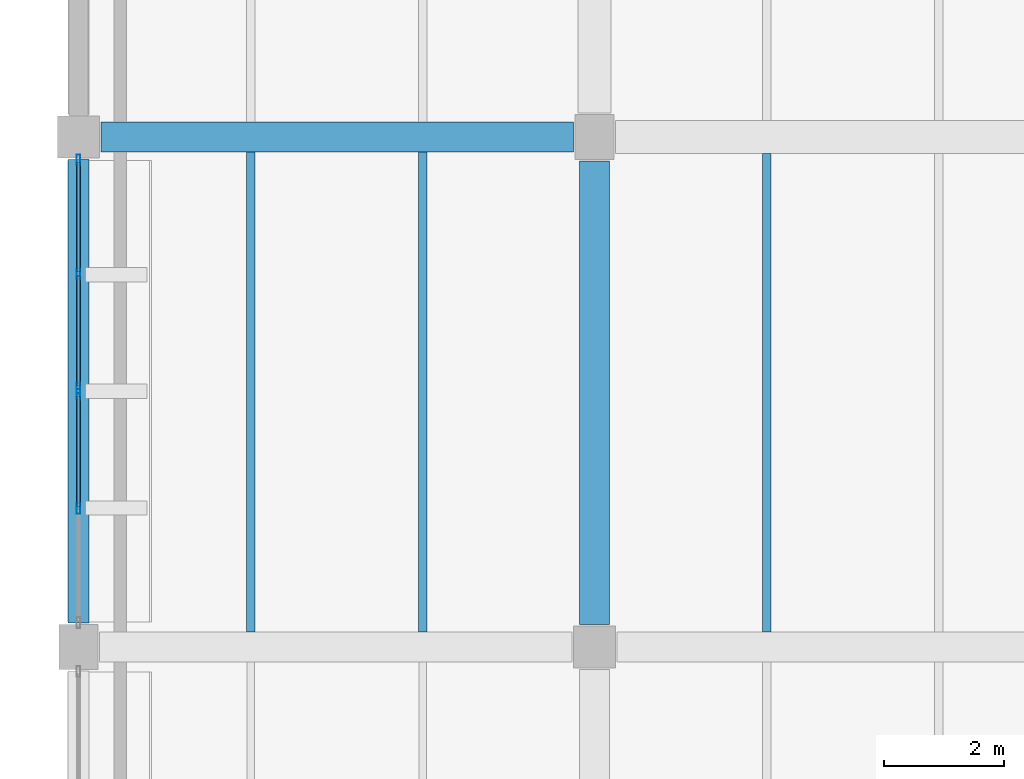
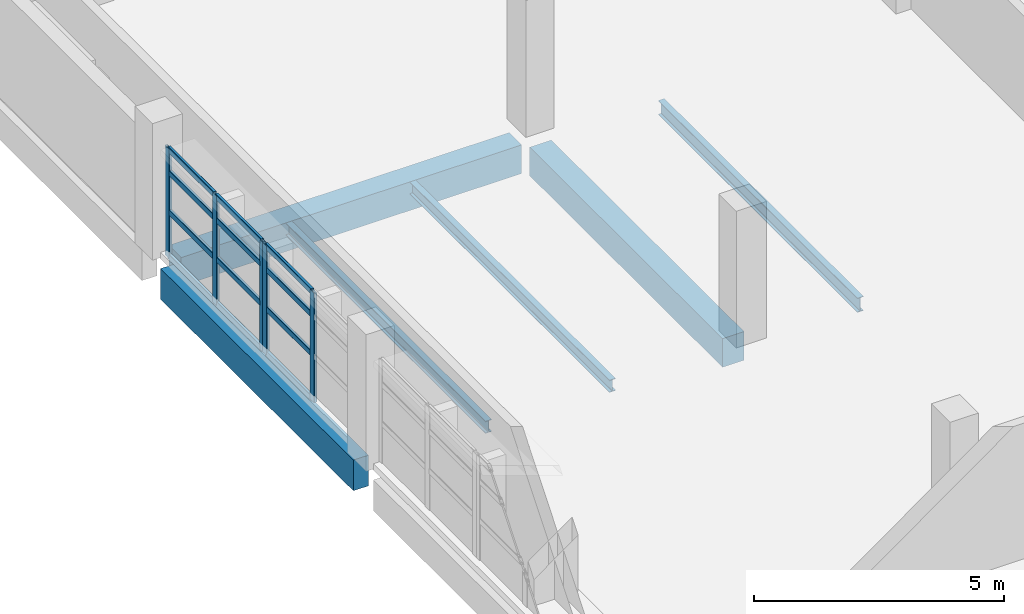
# One storey, part 40 of 75: 17 members, 6 beams, 2 elements without a shape of their own.
"""IFC4 building model written with IfcOpenShell, lengths in metres."""

from ifc_helpers import new_model, si_unit, direction, frame, origin, origin_2d, place, context, subcontext, project, spatial, rectangle, hollow_rectangle, i_section, extrude, material, material_profile, profile_set, type_object, element, aggregate, save


model = new_model("IFC4")

# Units and contexts
model_context = context("Model", 3, precision=1e-05, world=origin(), true_north=direction((0.0, 1.0)))
body_context = subcontext(model_context, "Body", "Model", "MODEL_VIEW")
ifc_project = project(units=[si_unit("LENGTHUNIT", "METRE"), si_unit("AREAUNIT", "SQUARE_METRE"), si_unit("VOLUMEUNIT", "CUBIC_METRE"), si_unit("PLANEANGLEUNIT", "RADIAN"), si_unit("MASSUNIT", "GRAM", prefix="KILO")], contexts=[model_context])

# Site, building, storey
site_placement = place(None, origin())
site = spatial("IfcSite", under=ifc_project, at=site_placement, CompositionType="ELEMENT")
building_placement = place(site_placement, origin())
building = spatial("IfcBuilding", under=site, at=building_placement, Name="Varnakota Cinema and Media Centre", CompositionType="ELEMENT")
storey_placement = place(building_placement, frame((0.0, 0.0, 8.39990234375)))
storey = spatial("IfcBuildingStorey", under=building, at=storey_placement, Name="L02", CompositionType="ELEMENT", Elevation=8.39990234375)

# Beams
ifc_material_1 = material(Name="Concrete M35", Category="concrete")
ifc_material_profile_1 = material_profile(ifc_material_1, rectangle(XDim=0.5, YDim=0.699951171875, at=origin_2d()), Name="RCB 500x700")
ifc_profile_set_1 = profile_set([ifc_material_profile_1], Name="Concrete M35")
beam_type_1 = type_object("IfcBeamType", Name="BM-RC-500x700", PredefinedType="BEAM", material=ifc_profile_set_1)
beam_1_placement = place(storey_placement, frame((0.375, 69.5, -0.599853515625), z_axis=(1.0, 0.0, 0.0), x_axis=(0.0, 1.0, 0.0)))
element("IfcBeam", 1, at=beam_1_placement, inside=storey, type_object=beam_type_1, Name="L02 girder A-B/9", PredefinedType="BEAM", context=body_context, shape_type="SweptSolid", body=[
    extrude(rectangle(XDim=0.5, YDim=0.699951171875, at=origin_2d()), origin(), (0.0, 0.0, 1.0), 7.875),
])
beam_2_placement = place(storey_placement, frame((8.60009765625, 61.375, -0.599853515625), z_axis=(0.0, 1.0, 0.0), x_axis=(-1.0, 0.0, 0.0)))
element("IfcBeam", 2, at=beam_2_placement, inside=storey, type_object=beam_type_1, Name="L02 girder B/8-9", PredefinedType="BEAM", context=body_context, shape_type="SweptSolid", body=[
    extrude(rectangle(XDim=0.5, YDim=0.699951171875, at=origin_2d()), origin(), (0.0, 0.0, 1.0), 7.72509765625),
])
ifc_material_2 = material(Name="Concrete M40", Category="concrete")
ifc_material_profile_2 = material_profile(ifc_material_2, rectangle(XDim=0.35009765625, YDim=0.75, at=origin_2d()), Name="RCB 350x750")
ifc_profile_set_2 = profile_set([ifc_material_profile_2], Name="Concrete M40")
beam_type_2 = type_object("IfcBeamType", Name="BM-SP-350x750", PredefinedType="SPANDREL", material=ifc_profile_set_2)
beam_3_placement = place(storey_placement, frame((0.0, 61.39990234375, -0.625), z_axis=(0.0, 1.0, 0.0), x_axis=(-1.0, 0.0, 0.0)))
element("IfcBeam", 3, at=beam_3_placement, inside=storey, type_object=beam_type_2, Name="L02 girder A/8-9", PredefinedType="SPANDREL", context=body_context, shape_type="SweptSolid", body=[
    extrude(rectangle(XDim=0.35009765625, YDim=0.75, at=origin_2d()), origin(), (0.0, 0.0, 1.0), 7.72509765625),
])
ifc_material_3 = material(Name="Structural steel Grade 350 (E350)", Category="steel")
ifc_material_profile_3 = material_profile(ifc_material_3, i_section(OverallWidth=0.139892578125, OverallDepth=0.300048828125, WebThickness=0.0078125, FlangeThickness=0.01318359375, FilletRadius=0.013916015625, at=origin_2d()), Name="ISMB 300")
ifc_profile_set_3 = profile_set([ifc_material_profile_3], Name="Structural steel Grade 350 (E350)")
beam_type_3 = type_object("IfcBeamType", Name="BM-ST-ISMB300", PredefinedType="JOIST", material=ifc_profile_set_3)
for number, where, z_axis, x_axis, name in (
    (4, (2.86669921875, 61.25, -0.39990234375), (0.0, 1.0, 0.0), (-1.0, 0.0, 0.0), "L02 steel joist A-B/8-9 #1"),
    (5, (5.7333984375, 61.25, -0.39990234375), (0.0, 1.0, 0.0), (-1.0, 0.0, 0.0), "L02 steel joist A-B/8-9 #2"),
):
    element("IfcBeam", number, at=place(storey_placement, frame(where, z_axis=z_axis, x_axis=x_axis)), inside=storey, type_object=beam_type_3, Name=name, PredefinedType="JOIST", context=body_context, shape_type="SweptSolid", body=[
        extrude(i_section(OverallWidth=0.139892578125, OverallDepth=0.300048828125, WebThickness=0.0078125, FlangeThickness=0.01318359375, FilletRadius=0.013916015625, at=origin_2d()), origin(), (0.0, 0.0, 1.0), 8.0),
    ])
ifc_material_4 = material(Name="Structural steel Grade 350 (E350)", Category="steel")
ifc_material_profile_4 = material_profile(ifc_material_4, i_section(OverallWidth=0.139892578125, OverallDepth=0.35009765625, WebThickness=0.008056640625, FlangeThickness=0.01416015625, FilletRadius=0.013916015625, at=origin_2d()), Name="ISMB 350")
ifc_profile_set_4 = profile_set([ifc_material_profile_4], Name="Structural steel Grade 350 (E350)")
beam_type_4 = type_object("IfcBeamType", Name="BM-ST-ISMB350", PredefinedType="JOIST", material=ifc_profile_set_4)
beam_4_placement = place(storey_placement, frame((11.466796875, 61.25, -0.4248046875), z_axis=(0.0, 1.0, 0.0), x_axis=(-1.0, 0.0, 0.0)))
element("IfcBeam", 6, at=beam_4_placement, inside=storey, type_object=beam_type_4, Name="L02 steel joist B-C/8-9 #1", PredefinedType="JOIST", context=body_context, shape_type="SweptSolid", body=[
    extrude(i_section(OverallWidth=0.139892578125, OverallDepth=0.35009765625, WebThickness=0.008056640625, FlangeThickness=0.01416015625, FilletRadius=0.013916015625, at=origin_2d()), origin(), (0.0, 0.0, 1.0), 7.97509765625),
])

# Curtain wall, members
ifc_material_5 = material(Name="Thermally broken anodised aluminium AW-6063", Category="aluminium")
curtain_wall_type = type_object("IfcCurtainWallType", Name="CW-STD-387x268", PredefinedType="USERDEFINED", material=ifc_material_5)
curtain_wall_1_placement = place(storey_placement, origin())
curtain_wall_1 = element("IfcCurtainWall", 7, at=curtain_wall_1_placement, inside=storey, type_object=curtain_wall_type, Name="L02 curtain wall CW-L02-V5-W-02-1", ObjectType="UNITISED CURTAIN WALL", PredefinedType="USERDEFINED")
ifc_material_6 = material(Name="Thermally broken anodised aluminium AW-6063", Category="aluminium")
ifc_material_profile_5 = material_profile(ifc_material_6, hollow_rectangle(XDim=0.06494140625, YDim=0.179931640625, WallThickness=0.00390625, InnerFilletRadius=0.00390625, OuterFilletRadius=0.008056640625, at=origin_2d()), Name="AL-MULLION 180x65x4")
ifc_profile_set_5 = profile_set([ifc_material_profile_5], Name="Thermally broken anodised aluminium AW-6063")
member_type_1 = type_object("IfcMemberType", Name="CWM-AL-180", PredefinedType="MULLION", material=ifc_profile_set_5)
member_1_placement = place(storey_placement, frame((0.0, 69.117431640625, 0.0), z_axis=(0.0, 0.0, 1.0), x_axis=(1.0, 0.0, 0.0)))
member_1 = element("IfcMember", 8, at=member_1_placement, type_object=member_type_1, Name="CW39 mullion 1", PredefinedType="MULLION", context=body_context, shape_type="SweptSolid", body=[
    extrude(hollow_rectangle(XDim=0.06494140625, YDim=0.179931640625, WallThickness=0.00390625, InnerFilletRadius=0.00390625, OuterFilletRadius=0.008056640625, at=origin_2d()), origin(), (0.0, 0.0, 1.0), 2.675048828125),
])
member_2_placement = place(storey_placement, frame((0.0, 67.21630859375, 0.0), z_axis=(0.0, 0.0, 1.0), x_axis=(1.0, 0.0, 0.0)))
member_2 = element("IfcMember", 9, at=member_2_placement, type_object=member_type_1, Name="CW39 mullion 2", PredefinedType="MULLION", context=body_context, shape_type="SweptSolid", body=[
    extrude(hollow_rectangle(XDim=0.06494140625, YDim=0.179931640625, WallThickness=0.00390625, InnerFilletRadius=0.00390625, OuterFilletRadius=0.008056640625, at=origin_2d()), origin(), (0.0, 0.0, 1.0), 2.675048828125),
])
member_3_placement = place(storey_placement, frame((0.0, 65.31494140625, 0.0), z_axis=(0.0, 0.0, 1.0), x_axis=(1.0, 0.0, 0.0)))
member_3 = element("IfcMember", 10, at=member_3_placement, type_object=member_type_1, Name="CW39 mullion 3", PredefinedType="MULLION", context=body_context, shape_type="SweptSolid", body=[
    extrude(hollow_rectangle(XDim=0.06494140625, YDim=0.179931640625, WallThickness=0.00390625, InnerFilletRadius=0.00390625, OuterFilletRadius=0.008056640625, at=origin_2d()), origin(), (0.0, 0.0, 1.0), 2.675048828125),
])

curtain_wall_2_placement = place(storey_placement, origin())
curtain_wall_2 = element("IfcCurtainWall", 11, at=curtain_wall_2_placement, inside=storey, type_object=curtain_wall_type, Name="L02 curtain wall CW-L02-V5-W-02-2", ObjectType="UNITISED CURTAIN WALL", PredefinedType="USERDEFINED")
member_4_placement = place(storey_placement, frame((0.0, 65.2099609375, 0.0), z_axis=(0.0, 0.0, 1.0), x_axis=(1.0, 0.0, 0.0)))
member_4 = element("IfcMember", 12, at=member_4_placement, type_object=member_type_1, Name="CW39 mullion 1", PredefinedType="MULLION", context=body_context, shape_type="SweptSolid", body=[
    extrude(hollow_rectangle(XDim=0.06494140625, YDim=0.179931640625, WallThickness=0.00390625, InnerFilletRadius=0.00390625, OuterFilletRadius=0.008056640625, at=origin_2d()), origin(), (0.0, 0.0, 1.0), 2.675048828125),
])
member_5_placement = place(storey_placement, frame((0.0, 63.308837890625, 0.0), z_axis=(0.0, 0.0, 1.0), x_axis=(1.0, 0.0, 0.0)))
member_5 = element("IfcMember", 13, at=member_5_placement, type_object=member_type_1, Name="CW39 mullion 2", PredefinedType="MULLION", context=body_context, shape_type="SweptSolid", body=[
    extrude(hollow_rectangle(XDim=0.06494140625, YDim=0.179931640625, WallThickness=0.00390625, InnerFilletRadius=0.00390625, OuterFilletRadius=0.008056640625, at=origin_2d()), origin(), (0.0, 0.0, 1.0), 2.675048828125),
])

# Member
ifc_material_7 = material(Name="Thermally broken anodised aluminium AW-6063", Category="aluminium")
ifc_material_profile_6 = material_profile(ifc_material_7, hollow_rectangle(XDim=0.06494140625, YDim=0.139892578125, WallThickness=0.00390625, InnerFilletRadius=0.00390625, OuterFilletRadius=0.008056640625, at=origin_2d()), Name="AL-TRANSOM 140x65x4")
ifc_profile_set_6 = profile_set([ifc_material_profile_6], Name="Thermally broken anodised aluminium AW-6063")
member_type_2 = type_object("IfcMemberType", Name="CWT-AL-140", PredefinedType="USERDEFINED", material=ifc_profile_set_6)
member_6_placement = place(storey_placement, frame((0.0, 69.0849609375, 0.03271484375), z_axis=(0.0, -1.0, 0.0), x_axis=(1.0, 0.0, 0.0)))
member_6 = element("IfcMember", 14, at=member_6_placement, type_object=member_type_2, Name="CW39 transom 1.1", ObjectType="TRANSOM", PredefinedType="USERDEFINED", context=body_context, shape_type="SweptSolid", body=[
    extrude(hollow_rectangle(XDim=0.06494140625, YDim=0.139892578125, WallThickness=0.00390625, InnerFilletRadius=0.00390625, OuterFilletRadius=0.008056640625, at=origin_2d()), origin(), (0.0, 0.0, 1.0), 1.836181640625),
])

member_7_placement = place(storey_placement, frame((0.0, 69.0849609375, 1.12353515625), z_axis=(0.0, -1.0, 0.0), x_axis=(1.0, 0.0, 0.0)))
member_7 = element("IfcMember", 15, at=member_7_placement, type_object=member_type_2, Name="CW39 transom 1.2", ObjectType="TRANSOM", PredefinedType="USERDEFINED", context=body_context, shape_type="SweptSolid", body=[
    extrude(hollow_rectangle(XDim=0.06494140625, YDim=0.139892578125, WallThickness=0.00390625, InnerFilletRadius=0.00390625, OuterFilletRadius=0.008056640625, at=origin_2d()), origin(), (0.0, 0.0, 1.0), 1.836181640625),
])

member_8_placement = place(storey_placement, frame((0.0, 69.0849609375, 2.086669921875), z_axis=(0.0, -1.0, 0.0), x_axis=(1.0, 0.0, 0.0)))
member_8 = element("IfcMember", 16, at=member_8_placement, type_object=member_type_2, Name="CW39 transom 1.3", ObjectType="TRANSOM", PredefinedType="USERDEFINED", context=body_context, shape_type="SweptSolid", body=[
    extrude(hollow_rectangle(XDim=0.06494140625, YDim=0.139892578125, WallThickness=0.00390625, InnerFilletRadius=0.00390625, OuterFilletRadius=0.008056640625, at=origin_2d()), origin(), (0.0, 0.0, 1.0), 1.836181640625),
])

member_9_placement = place(storey_placement, frame((0.0, 69.0849609375, 2.642578125), z_axis=(0.0, -1.0, 0.0), x_axis=(1.0, 0.0, 0.0)))
member_9 = element("IfcMember", 17, at=member_9_placement, type_object=member_type_2, Name="CW39 transom 1.4", ObjectType="TRANSOM", PredefinedType="USERDEFINED", context=body_context, shape_type="SweptSolid", body=[
    extrude(hollow_rectangle(XDim=0.06494140625, YDim=0.139892578125, WallThickness=0.00390625, InnerFilletRadius=0.00390625, OuterFilletRadius=0.008056640625, at=origin_2d()), origin(), (0.0, 0.0, 1.0), 1.836181640625),
])

member_10_placement = place(storey_placement, frame((0.0, 67.183837890625, 0.03271484375), z_axis=(0.0, -1.0, 0.0), x_axis=(1.0, 0.0, 0.0)))
member_10 = element("IfcMember", 18, at=member_10_placement, type_object=member_type_2, Name="CW39 transom 2.1", ObjectType="TRANSOM", PredefinedType="USERDEFINED", context=body_context, shape_type="SweptSolid", body=[
    extrude(hollow_rectangle(XDim=0.06494140625, YDim=0.139892578125, WallThickness=0.00390625, InnerFilletRadius=0.00390625, OuterFilletRadius=0.008056640625, at=origin_2d()), origin(), (0.0, 0.0, 1.0), 1.83642578125),
])

member_11_placement = place(storey_placement, frame((0.0, 67.183837890625, 1.12353515625), z_axis=(0.0, -1.0, 0.0), x_axis=(1.0, 0.0, 0.0)))
member_11 = element("IfcMember", 19, at=member_11_placement, type_object=member_type_2, Name="CW39 transom 2.2", ObjectType="TRANSOM", PredefinedType="USERDEFINED", context=body_context, shape_type="SweptSolid", body=[
    extrude(hollow_rectangle(XDim=0.06494140625, YDim=0.139892578125, WallThickness=0.00390625, InnerFilletRadius=0.00390625, OuterFilletRadius=0.008056640625, at=origin_2d()), origin(), (0.0, 0.0, 1.0), 1.83642578125),
])

member_12_placement = place(storey_placement, frame((0.0, 67.183837890625, 2.086669921875), z_axis=(0.0, -1.0, 0.0), x_axis=(1.0, 0.0, 0.0)))
member_12 = element("IfcMember", 20, at=member_12_placement, type_object=member_type_2, Name="CW39 transom 2.3", ObjectType="TRANSOM", PredefinedType="USERDEFINED", context=body_context, shape_type="SweptSolid", body=[
    extrude(hollow_rectangle(XDim=0.06494140625, YDim=0.139892578125, WallThickness=0.00390625, InnerFilletRadius=0.00390625, OuterFilletRadius=0.008056640625, at=origin_2d()), origin(), (0.0, 0.0, 1.0), 1.83642578125),
])

member_13_placement = place(storey_placement, frame((0.0, 67.183837890625, 2.642578125), z_axis=(0.0, -1.0, 0.0), x_axis=(1.0, 0.0, 0.0)))
member_13 = element("IfcMember", 21, at=member_13_placement, type_object=member_type_2, Name="CW39 transom 2.4", ObjectType="TRANSOM", PredefinedType="USERDEFINED", context=body_context, shape_type="SweptSolid", body=[
    extrude(hollow_rectangle(XDim=0.06494140625, YDim=0.139892578125, WallThickness=0.00390625, InnerFilletRadius=0.00390625, OuterFilletRadius=0.008056640625, at=origin_2d()), origin(), (0.0, 0.0, 1.0), 1.83642578125),
])

aggregate(curtain_wall_1, [member_1, member_2, member_3, member_6, member_7, member_8, member_9, member_10, member_11, member_12, member_13])

member_14_placement = place(storey_placement, frame((0.0, 65.177490234375, 0.03271484375), z_axis=(0.0, -1.0, 0.0), x_axis=(1.0, 0.0, 0.0)))
member_14 = element("IfcMember", 22, at=member_14_placement, type_object=member_type_2, Name="CW39 transom 1.1", ObjectType="TRANSOM", PredefinedType="USERDEFINED", context=body_context, shape_type="SweptSolid", body=[
    extrude(hollow_rectangle(XDim=0.06494140625, YDim=0.139892578125, WallThickness=0.00390625, InnerFilletRadius=0.00390625, OuterFilletRadius=0.008056640625, at=origin_2d()), origin(), (0.0, 0.0, 1.0), 1.836181640625),
])

member_15_placement = place(storey_placement, frame((0.0, 65.177490234375, 1.12353515625), z_axis=(0.0, -1.0, 0.0), x_axis=(1.0, 0.0, 0.0)))
member_15 = element("IfcMember", 23, at=member_15_placement, type_object=member_type_2, Name="CW39 transom 1.2", ObjectType="TRANSOM", PredefinedType="USERDEFINED", context=body_context, shape_type="SweptSolid", body=[
    extrude(hollow_rectangle(XDim=0.06494140625, YDim=0.139892578125, WallThickness=0.00390625, InnerFilletRadius=0.00390625, OuterFilletRadius=0.008056640625, at=origin_2d()), origin(), (0.0, 0.0, 1.0), 1.836181640625),
])

member_16_placement = place(storey_placement, frame((0.0, 65.177490234375, 2.086669921875), z_axis=(0.0, -1.0, 0.0), x_axis=(1.0, 0.0, 0.0)))
member_16 = element("IfcMember", 24, at=member_16_placement, type_object=member_type_2, Name="CW39 transom 1.3", ObjectType="TRANSOM", PredefinedType="USERDEFINED", context=body_context, shape_type="SweptSolid", body=[
    extrude(hollow_rectangle(XDim=0.06494140625, YDim=0.139892578125, WallThickness=0.00390625, InnerFilletRadius=0.00390625, OuterFilletRadius=0.008056640625, at=origin_2d()), origin(), (0.0, 0.0, 1.0), 1.836181640625),
])

member_17_placement = place(storey_placement, frame((0.0, 65.177490234375, 2.642578125), z_axis=(0.0, -1.0, 0.0), x_axis=(1.0, 0.0, 0.0)))
member_17 = element("IfcMember", 25, at=member_17_placement, type_object=member_type_2, Name="CW39 transom 1.4", ObjectType="TRANSOM", PredefinedType="USERDEFINED", context=body_context, shape_type="SweptSolid", body=[
    extrude(hollow_rectangle(XDim=0.06494140625, YDim=0.139892578125, WallThickness=0.00390625, InnerFilletRadius=0.00390625, OuterFilletRadius=0.008056640625, at=origin_2d()), origin(), (0.0, 0.0, 1.0), 1.836181640625),
])

aggregate(curtain_wall_2, [member_4, member_5, member_14, member_15, member_16, member_17])

save(model, "model.ifc")
